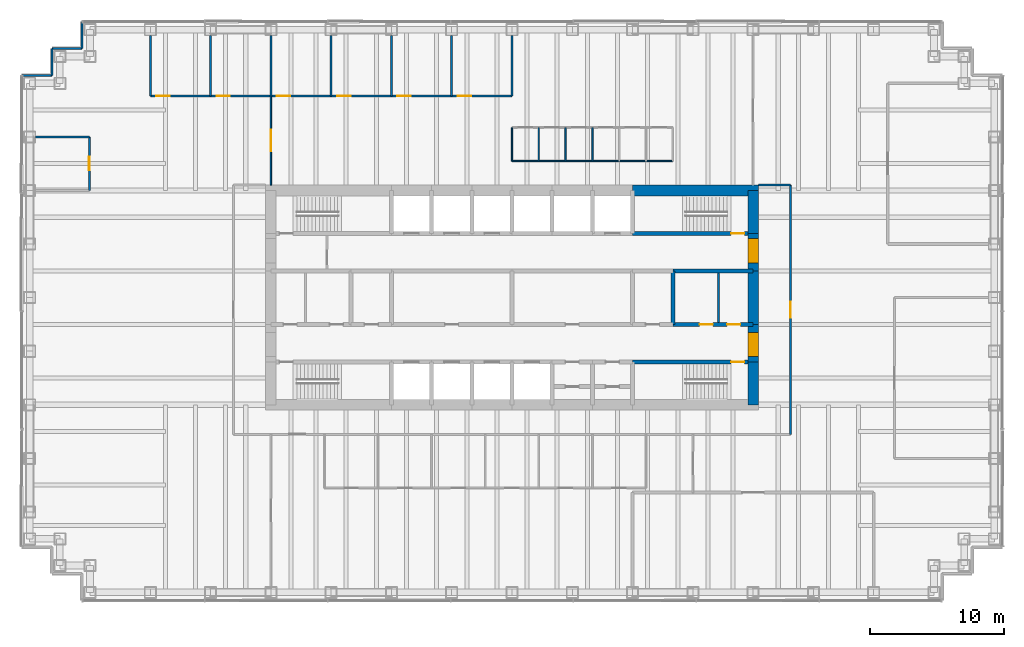
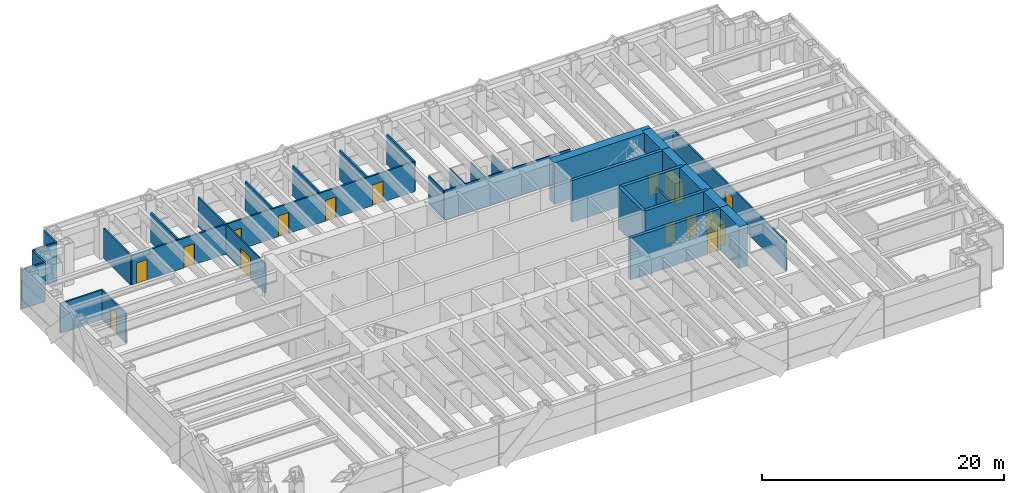
# One storey, part 10 of 12: 34 walls, 15 doors, 15 openings.
"""IFC4 building model written with IfcOpenShell, lengths in metres."""

import ifcopenshell
import ifcopenshell.guid

model = None  # the IFC model being written
_history = None  # IfcOwnerHistory: only IFC2X3 demands one
_inside = {}  # id of a spatial element -> (the spatial element, [elements in it])
_under = {}  # id of a project, library or spatial element -> (it, [spatial elements below it])
_declared = {}  # id of a project -> (the project, [libraries it declares])
_typed = {}  # id of a type object -> (the type object, [elements of that type])
_made_of = {}  # id of a material, layer set ... -> (it, [elements and type objects made of it])


def new_model(schema):
    """Start an empty IFC model of exactly this schema.

    Asked for "IFC4X3", IfcOpenShell would pick the latest addendum, in which some entities
    have other attributes; the version numbers below select the first issue.
    IFC2X3 requires an IfcOwnerHistory on every rooted entity: one is made here for all.
    """
    global model, _history
    if schema == "IFC4X3":
        model = ifcopenshell.file(schema_version=(4, 3, 0, 0))
    else:
        model = ifcopenshell.file(schema=schema)
    _inside.clear()
    _under.clear()
    _declared.clear()
    _typed.clear()
    _made_of.clear()
    _history = None
    if model.schema == "IFC2X3":
        org = make("IfcOrganization", Name="unknown")
        user = make(
            "IfcPersonAndOrganization",
            ThePerson=make("IfcPerson", FamilyName="unknown"),
            TheOrganization=org,
        )
        app = make(
            "IfcApplication",
            ApplicationDeveloper=org,
            Version="unknown",
            ApplicationFullName="unknown",
            ApplicationIdentifier="unknown",
        )
        _history = make(
            "IfcOwnerHistory",
            OwningUser=user,
            OwningApplication=app,
            ChangeAction="ADDED",
            CreationDate=0,
        )
    return model


def make(cls, **values):
    """One entity of the class cls with the attributes given. An attribute that is None is left unset."""
    return model.create_entity(
        cls, **{name: value for name, value in values.items() if value is not None}
    )


def rooted(cls, **values):
    """An entity with a GlobalId (a new one), such as an element, a storey or a relation."""
    return make(cls, GlobalId=ifcopenshell.guid.new(), OwnerHistory=_history, **values)


def si_unit(unit_type, name, prefix=None):
    """IfcSIUnit, for example si_unit("LENGTHUNIT", "METRE", prefix="MILLI")."""
    return make("IfcSIUnit", UnitType=unit_type, Prefix=prefix, Name=name)


def assignment(units):
    """IfcUnitAssignment: the units of a project."""
    return None if units is None else make("IfcUnitAssignment", Units=units)


def point(xyz):
    """IfcCartesianPoint."""
    return None if xyz is None else make("IfcCartesianPoint", Coordinates=xyz)


def direction(xyz):
    """IfcDirection."""
    return None if xyz is None else make("IfcDirection", DirectionRatios=xyz)


def frame(location, z_axis=None, x_axis=None):
    """IfcAxis2Placement3D, a coordinate frame: its origin and axes. An axis left out is left unset."""
    return make(
        "IfcAxis2Placement3D",
        Location=point(location),
        Axis=direction(z_axis),
        RefDirection=direction(x_axis),
    )


def frame_2d(location, x_axis=None):
    """IfcAxis2Placement2D, a coordinate frame in the plane: its origin and x axis."""
    return make(
        "IfcAxis2Placement2D", Location=point(location), RefDirection=direction(x_axis)
    )


def origin():
    """The frame at (0, 0, 0) with its axes left unset."""
    return frame((0.0, 0.0, 0.0))


def place(relative_to, where):
    """IfcLocalPlacement: puts the frame where relative to a parent placement (None: the world)."""
    return make(
        "IfcLocalPlacement", PlacementRelTo=relative_to, RelativePlacement=where
    )


def context(
    kind, dimensions, precision=None, world=None, true_north=None, identifier=None
):
    """IfcGeometricRepresentationContext, for example the 3D "Model" context."""
    return make(
        "IfcGeometricRepresentationContext",
        ContextIdentifier=identifier,
        ContextType=kind,
        CoordinateSpaceDimension=dimensions,
        Precision=precision,
        WorldCoordinateSystem=world,
        TrueNorth=true_north,
    )


def subcontext(parent, identifier, kind, view, scale=None):
    """IfcGeometricRepresentationSubContext, for example "Body" below "Model"."""
    return make(
        "IfcGeometricRepresentationSubContext",
        ContextIdentifier=identifier,
        ContextType=kind,
        ParentContext=parent,
        TargetScale=scale,
        TargetView=view,
    )


def project(units=None, contexts=None):
    """IfcProject with its units and contexts."""
    return rooted(
        "IfcProject",
        Name="project",
        RepresentationContexts=contexts,
        UnitsInContext=assignment(units),
    )


def spatial(cls, under=None, at=None, **own):
    """A site, building, storey or space (cls), placed at a placement, below another one or the project."""
    s = rooted(cls, ObjectPlacement=at, **own)
    if under is not None:
        _under.setdefault(under.id(), (under, []))[1].append(s)
    return s


def profile(cls, at=None, kind="AREA", **sizes):
    """A parametric profile (cls). Its sizes go by their IFC names, for example OverallWidth=200.0."""
    return make(cls, ProfileType=kind, Position=at, **sizes)


def rectangle(**sizes):
    """IfcRectangleProfileDef."""
    return profile("IfcRectangleProfileDef", **sizes)


def extrude(swept, where, along, depth):
    """IfcExtrudedAreaSolid: the profile swept, set in the frame where, extruded along a direction by depth."""
    return make(
        "IfcExtrudedAreaSolid",
        SweptArea=swept,
        Position=where,
        ExtrudedDirection=direction(along),
        Depth=depth,
    )


def shape(context_of_items, identifier, shape_type, items):
    """IfcShapeRepresentation: the items that make up one representation, for example the "Body"."""
    return make(
        "IfcShapeRepresentation",
        ContextOfItems=context_of_items,
        RepresentationIdentifier=identifier,
        RepresentationType=shape_type,
        Items=items,
    )


def material(Name=None, Category=None):
    """IfcMaterial."""
    return make("IfcMaterial", Name=Name, Category=Category)


def layer(
    of_material, thickness, ventilated=None, Name=None, Category=None, Priority=None
):
    """IfcMaterialLayer: one layer of a wall or slab, of a material (None: an air gap)."""
    return make(
        "IfcMaterialLayer",
        Material=of_material,
        LayerThickness=thickness,
        IsVentilated=ventilated,
        Name=Name,
        Category=Category,
        Priority=Priority,
    )


def layer_set(layers, Name=None):
    """IfcMaterialLayerSet."""
    return make("IfcMaterialLayerSet", MaterialLayers=layers, LayerSetName=Name)


def made_of(thing, what):
    """Note that an element or type object is made of a material, layer set ...; save() writes the relation."""
    if what is not None:
        _made_of.setdefault(what.id(), (what, []))[1].append(thing)
    return thing


def type_object(cls, material=None, **own):
    """A type object (cls), such as IfcWallType, which elements share."""
    return made_of(rooted(cls, **own), material)


def element(
    cls,
    number,
    at=None,
    inside=None,
    cuts=None,
    type_object=None,
    material=None,
    context=None,
    identifier="Body",
    shape_type=None,
    held_by="IfcProductDefinitionShape",
    body=None,
    shapes=None,
    **own,
):
    """One element of the class cls, such as IfcWall. Its Tag is "e" and its number.

    at: its placement. inside: the storey or other place that contains it. cuts: it is an
    opening in that element (IfcRelVoidsElement). A single representation is given by context,
    identifier, shape_type and body (its items); several are given by shapes. held_by: the class
    of the entity that holds the representations. save() writes the other relations.
    """
    e = rooted(cls, Tag="e%d" % number, ObjectPlacement=at, **own)
    if body is not None:
        shapes = [shape(context, identifier, shape_type, body)]
    if shapes is not None:
        e.Representation = make(held_by, Representations=shapes)
    if inside is not None:
        _inside.setdefault(inside.id(), (inside, []))[1].append(e)
    if cuts is not None:
        rooted(
            "IfcRelVoidsElement", RelatingBuildingElement=cuts, RelatedOpeningElement=e
        )
    if type_object is not None:
        _typed.setdefault(type_object.id(), (type_object, []))[1].append(e)
    return made_of(e, material)


def fill(opening, filler):
    """IfcRelFillsElement: the door or window that sits in an opening."""
    return rooted(
        "IfcRelFillsElement",
        RelatingOpeningElement=opening,
        RelatedBuildingElement=filler,
    )


def aggregate(whole, parts):
    """IfcRelAggregates: a whole, such as a stair, and the parts it consists of."""
    return rooted("IfcRelAggregates", RelatingObject=whole, RelatedObjects=parts)


def save(model, path):
    """Write the relations noted so far, then the file.

    IfcRelAggregates (storeys below a building ...), IfcRelContainedInSpatialStructure (elements
    in a storey), IfcRelDefinesByType, IfcRelAssociatesMaterial and IfcRelDeclares: one each for
    every whole, place, type object, material and project.
    """
    for whole, parts in _under.values():
        aggregate(whole, parts)
    for where, things in _inside.values():
        rooted(
            "IfcRelContainedInSpatialStructure",
            RelatedElements=things,
            RelatingStructure=where,
        )
    for kind, things in _typed.values():
        rooted("IfcRelDefinesByType", RelatedObjects=things, RelatingType=kind)
    for what, things in _made_of.values():
        rooted("IfcRelAssociatesMaterial", RelatedObjects=things, RelatingMaterial=what)
    for by, libraries in _declared.values():
        rooted("IfcRelDeclares", RelatingContext=by, RelatedDefinitions=libraries)
    model.write(path)


model = new_model("IFC4")

# Units and contexts
model_context = context("Model", 3, precision=1e-05, world=origin(), true_north=direction((0.0, 1.0)))
body_context = subcontext(model_context, "Body", "Model", "MODEL_VIEW")
ifc_project = project(units=[si_unit("LENGTHUNIT", "METRE"), si_unit("AREAUNIT", "SQUARE_METRE"), si_unit("VOLUMEUNIT", "CUBIC_METRE"), si_unit("PLANEANGLEUNIT", "RADIAN"), si_unit("MASSUNIT", "GRAM", prefix="KILO")], contexts=[model_context])

# Site, building, storey
site_placement = place(None, origin())
site = spatial("IfcSite", under=ifc_project, at=site_placement, CompositionType="ELEMENT")
building_placement = place(site_placement, origin())
building = spatial("IfcBuilding", under=site, at=building_placement, Name="Rheinbord Bourse Tower", CompositionType="ELEMENT")
storey_placement = place(building_placement, frame((0.0, 0.0, 261.39990234375)))
storey = spatial("IfcBuildingStorey", under=building, at=storey_placement, Name="L59", CompositionType="ELEMENT", Elevation=261.39990234375)

# Wall, opening, door
ifc_material_1 = material(Name="Concrete C50/60", Category="concrete")
ifc_layer_1 = layer(ifc_material_1, 0.300048828125)
ifc_layer_set_1 = layer_set([ifc_layer_1], Name="CORE INNER WALL 300")
wall_type_1 = type_object("IfcWallType", Name="CORE INNER WALL 300", PredefinedType="SOLIDWALL", material=ifc_layer_set_1)
wall_1_placement = place(storey_placement, frame((45.0, 19.199951171875, 0.0), z_axis=(0.0, 0.0, 1.0), x_axis=(1.0, 0.0, 0.0)))
wall_1 = element("IfcWall", 1, at=wall_1_placement, inside=storey, type_object=wall_type_1, Name="Core wall A8 L59", PredefinedType="SOLIDWALL", context=body_context, shape_type="SweptSolid", body=[
    extrude(rectangle(XDim=9.0, YDim=0.300048828125, at=frame_2d((4.5, 0.0))), origin(), (0.0, 0.0, 1.0), 4.2001953125),
])
opening_1_placement = place(wall_1_placement, frame((7.35009765625, 0.0, 0.0)))
opening_1 = element("IfcOpeningElement", 2, at=opening_1_placement, cuts=wall_1, Name="Opening 5930", PredefinedType="OPENING", context=body_context, shape_type="SweptSolid", body=[
    extrude(rectangle(XDim=1.0, YDim=2.10009765625, at=frame_2d((0.5, 1.050048828125))), frame((0.0, 0.159912109375, 0.0), z_axis=(0.0, -1.0, 0.0), x_axis=(1.0, 0.0, 0.0)), (0.0, 0.0, 1.0), 0.320068359375),
])
ifc_material_2 = material(Name="Steel door", Category="steel")
door_type_1 = type_object("IfcDoorType", Name="DOOR 1000 EI30", OperationType="SINGLE_SWING_LEFT", PredefinedType="DOOR", material=ifc_material_2)
door_1_placement = place(opening_1_placement, origin())
door_1 = element("IfcDoor", 3, at=door_1_placement, inside=storey, type_object=door_type_1, Name="Stair door ST3 L59", OperationType="SINGLE_SWING_RIGHT", OverallHeight=2.10009765625, OverallWidth=1.0, PredefinedType="DOOR", context=body_context, shape_type="SweptSolid", body=[
    extrude(rectangle(XDim=1.0, YDim=2.10009765625, at=frame_2d((0.5, 1.050048828125))), frame((0.0, 0.02490234375, 0.0), z_axis=(0.0, -1.0, 0.0), x_axis=(1.0, 0.0, 0.0)), (0.0, 0.0, 1.0), 0.050048828125),
])
fill(opening_1, door_1)

wall_2_placement = place(storey_placement, frame((45.0, 28.800048828125, 0.0), z_axis=(0.0, 0.0, 1.0), x_axis=(1.0, 0.0, 0.0)))
wall_2 = element("IfcWall", 4, at=wall_2_placement, inside=storey, type_object=wall_type_1, Name="Core wall B8 L59", PredefinedType="SOLIDWALL", context=body_context, shape_type="SweptSolid", body=[
    extrude(rectangle(XDim=9.0, YDim=0.300048828125, at=frame_2d((4.5, 0.0))), origin(), (0.0, 0.0, 1.0), 4.2001953125),
])
opening_2_placement = place(wall_2_placement, frame((7.35009765625, 0.0, 0.0)))
opening_2 = element("IfcOpeningElement", 5, at=opening_2_placement, cuts=wall_2, Name="Opening 5940", PredefinedType="OPENING", context=body_context, shape_type="SweptSolid", body=[
    extrude(rectangle(XDim=1.0, YDim=2.10009765625, at=frame_2d((0.5, 1.050048828125))), frame((0.0, 0.159912109375, 0.0), z_axis=(0.0, -1.0, 0.0), x_axis=(1.0, 0.0, 0.0)), (0.0, 0.0, 1.0), 0.320068359375),
])
door_2_placement = place(opening_2_placement, origin())
door_2 = element("IfcDoor", 6, at=door_2_placement, inside=storey, type_object=door_type_1, Name="Stair door ST4 L59", OperationType="SINGLE_SWING_RIGHT", OverallHeight=2.10009765625, OverallWidth=1.0, PredefinedType="DOOR", context=body_context, shape_type="SweptSolid", body=[
    extrude(rectangle(XDim=1.0, YDim=2.10009765625, at=frame_2d((0.5, 1.050048828125))), frame((0.0, 0.02490234375, 0.0), z_axis=(0.0, -1.0, 0.0), x_axis=(1.0, 0.0, 0.0)), (0.0, 0.0, 1.0), 0.050048828125),
])
fill(opening_2, door_2)

# Wall, openings, doors
wall_3_placement = place(storey_placement, frame((48.0, 22.0, 0.0), z_axis=(0.0, 0.0, 1.0), x_axis=(1.0, 0.0, 0.0)))
wall_3 = element("IfcWall", 7, at=wall_3_placement, inside=storey, type_object=wall_type_1, Name="Core wall C6 L59", PredefinedType="SOLIDWALL", context=body_context, shape_type="SweptSolid", body=[
    extrude(rectangle(XDim=6.0, YDim=0.300048828125, at=frame_2d((3.0, 0.0))), origin(), (0.0, 0.0, 1.0), 4.2001953125),
])
opening_3_placement = place(wall_3_placement, frame((2.0, 0.0, 0.0)))
opening_3 = element("IfcOpeningElement", 8, at=opening_3_placement, cuts=wall_3, Name="Opening 59R6", PredefinedType="OPENING", context=body_context, shape_type="SweptSolid", body=[
    extrude(rectangle(XDim=1.0, YDim=2.10009765625, at=frame_2d((0.5, 1.050048828125))), frame((0.0, 0.159912109375, 0.0), z_axis=(0.0, -1.0, 0.0), x_axis=(1.0, 0.0, 0.0)), (0.0, 0.0, 1.0), 0.320068359375),
])
opening_4_placement = place(wall_3_placement, frame((4.050048828125, 0.0, 0.0)))
opening_4 = element("IfcOpeningElement", 9, at=opening_4_placement, cuts=wall_3, Name="Opening 59R10", PredefinedType="OPENING", context=body_context, shape_type="SweptSolid", body=[
    extrude(rectangle(XDim=1.0, YDim=2.10009765625, at=frame_2d((0.5, 1.050048828125))), frame((0.0, 0.159912109375, 0.0), z_axis=(0.0, -1.0, 0.0), x_axis=(1.0, 0.0, 0.0)), (0.0, 0.0, 1.0), 0.320068359375),
])
door_3_placement = place(opening_4_placement, origin())
door_3 = element("IfcDoor", 10, at=door_3_placement, inside=storey, type_object=door_type_1, Name="Cleaner's store door L59", OperationType="SINGLE_SWING_RIGHT", OverallHeight=2.10009765625, OverallWidth=1.0, PredefinedType="DOOR", context=body_context, shape_type="SweptSolid", body=[
    extrude(rectangle(XDim=1.0, YDim=2.10009765625, at=frame_2d((0.5, 1.050048828125))), frame((0.0, 0.02490234375, 0.0), z_axis=(0.0, -1.0, 0.0), x_axis=(1.0, 0.0, 0.0)), (0.0, 0.0, 1.0), 0.050048828125),
])
fill(opening_4, door_3)
ifc_material_3 = material(Name="Timber door", Category="wood")
door_type_2 = type_object("IfcDoorType", Name="DOOR 1000 WC", OperationType="SINGLE_SWING_LEFT", PredefinedType="DOOR", material=ifc_material_3)
door_4_placement = place(opening_3_placement, origin())
door_4 = element("IfcDoor", 11, at=door_4_placement, inside=storey, type_object=door_type_2, Name="WC women door L59", OperationType="SINGLE_SWING_LEFT", OverallHeight=2.10009765625, OverallWidth=1.0, PredefinedType="DOOR", context=body_context, shape_type="SweptSolid", body=[
    extrude(rectangle(XDim=1.0, YDim=2.10009765625, at=frame_2d((0.5, 1.050048828125))), frame((0.0, 0.02490234375, 0.0), z_axis=(0.0, -1.0, 0.0), x_axis=(1.0, 0.0, 0.0)), (0.0, 0.0, 1.0), 0.050048828125),
])
fill(opening_3, door_4)

# Walls
wall_4_placement = place(storey_placement, frame((48.0, 26.0, 0.0), z_axis=(0.0, 0.0, 1.0), x_axis=(1.0, 0.0, 0.0)))
element("IfcWall", 12, at=wall_4_placement, inside=storey, type_object=wall_type_1, Name="Core wall D6 L59", PredefinedType="SOLIDWALL", context=body_context, shape_type="SweptSolid", body=[
    extrude(rectangle(XDim=6.0, YDim=0.300048828125, at=frame_2d((3.0, 0.0))), origin(), (0.0, 0.0, 1.0), 4.2001953125),
])
wall_5_placement = place(storey_placement, frame((48.0, 22.0, 0.0), z_axis=(0.0, 0.0, 1.0), x_axis=(0.0, 1.0, 0.0)))
element("IfcWall", 13, at=wall_5_placement, inside=storey, type_object=wall_type_1, Name="Core wall MX48 L59", PredefinedType="SOLIDWALL", context=body_context, shape_type="SweptSolid", body=[
    extrude(rectangle(XDim=4.0, YDim=0.300048828125, at=frame_2d((2.0, 0.0))), origin(), (0.0, 0.0, 1.0), 4.2001953125),
])
ifc_material_4 = material(Name="Gypsum board fire partition", Category="gypsum board")
ifc_layer_2 = layer(ifc_material_4, 0.14990234375)
ifc_layer_set_2 = layer_set([ifc_layer_2], Name="CORE PARTITION 150 EI30")
wall_type_2 = type_object("IfcWallType", Name="CORE PARTITION 150 EI30", PredefinedType="PARTITIONING", material=ifc_layer_set_2)
wall_6_placement = place(storey_placement, frame((51.425048828125, 22.14990234375, 0.0), z_axis=(0.0, 0.0, 1.0), x_axis=(0.0, 1.0, 0.0)))
element("IfcWall", 14, at=wall_6_placement, inside=storey, type_object=wall_type_2, Name="Core partition L59-3", PredefinedType="PARTITIONING", context=body_context, shape_type="SweptSolid", body=[
    extrude(rectangle(XDim=3.7001953125, YDim=0.14990234375, at=frame_2d((1.85009765625, 0.0))), origin(), (0.0, 0.0, 1.0), 3.0),
])
ifc_material_5 = material(Name="Concrete C50/60", Category="concrete")
ifc_layer_3 = layer(ifc_material_5, 0.800048828125)
ifc_layer_set_3 = layer_set([ifc_layer_3], Name="CORE WALL 800")
wall_type_3 = type_object("IfcWallType", Name="CORE WALL 800", PredefinedType="SHEAR", material=ifc_layer_set_3)
wall_7_placement = place(storey_placement, frame((54.39990234375, 32.0, 0.0), z_axis=(0.0, 0.0, 1.0), x_axis=(-1.0, 0.0, 0.0)))
element("IfcWall", 15, at=wall_7_placement, inside=storey, type_object=wall_type_3, Name="Core wall N1 L59", PredefinedType="SHEAR", context=body_context, shape_type="SweptSolid", body=[
    extrude(rectangle(XDim=9.39990234375, YDim=0.800048828125, at=frame_2d((4.699951171875, 0.0))), origin(), (0.0, 0.0, 1.0), 4.2001953125),
])
wall_8_placement = place(storey_placement, frame((54.0, 16.0, 0.0), z_axis=(0.0, 0.0, 1.0), x_axis=(0.0, 1.0, 0.0)))
element("IfcWall", 16, at=wall_8_placement, inside=storey, type_object=wall_type_3, Name="Core wall E1 L59", PredefinedType="SHEAR", context=body_context, shape_type="SweptSolid", body=[
    extrude(rectangle(XDim=3.199951171875, YDim=0.800048828125, at=frame_2d((1.60009765625, 0.0))), origin(), (0.0, 0.0, 1.0), 4.2001953125),
])

# Wall, opening, door
wall_9_placement = place(storey_placement, frame((54.0, 19.199951171875, 0.0), z_axis=(0.0, 0.0, 1.0), x_axis=(0.0, 1.0, 0.0)))
wall_9 = element("IfcWall", 17, at=wall_9_placement, inside=storey, type_object=wall_type_3, Name="Core wall E2 L59", PredefinedType="SHEAR", context=body_context, shape_type="SweptSolid", body=[
    extrude(rectangle(XDim=2.800048828125, YDim=0.800048828125, at=frame_2d((1.39990234375, 0.0))), origin(), (0.0, 0.0, 1.0), 4.2001953125),
])
opening_5_placement = place(wall_9_placement, frame((0.39990234375, 0.0, 0.0)))
opening_5 = element("IfcOpeningElement", 18, at=opening_5_placement, cuts=wall_9, Name="Opening 59L3", PredefinedType="OPENING", context=body_context, shape_type="SweptSolid", body=[
    extrude(rectangle(XDim=1.800048828125, YDim=2.10009765625, at=frame_2d((0.89990234375, 1.050048828125))), frame((0.0, 0.409912109375, 0.0), z_axis=(0.0, -1.0, 0.0), x_axis=(1.0, 0.0, 0.0)), (0.0, 0.0, 1.0), 0.820068359375),
])
ifc_material_6 = material(Name="Steel door", Category="steel")
door_type_3 = type_object("IfcDoorType", Name="DOOR 1800 EI30 DOUBLE", OperationType="DOUBLE_DOOR_DOUBLE_SWING", PredefinedType="DOOR", material=ifc_material_6)
door_5_placement = place(opening_5_placement, origin())
door_5 = element("IfcDoor", 19, at=door_5_placement, inside=storey, type_object=door_type_3, Name="Lobby door 3 L59", OperationType="SINGLE_SWING_LEFT", OverallHeight=2.10009765625, OverallWidth=1.800048828125, PredefinedType="DOOR", context=body_context, shape_type="SweptSolid", body=[
    extrude(rectangle(XDim=1.800048828125, YDim=2.10009765625, at=frame_2d((0.89990234375, 1.050048828125))), frame((0.0, 0.39990234375, 0.0), z_axis=(0.0, -1.0, 0.0), x_axis=(1.0, 0.0, 0.0)), (0.0, 0.0, 1.0), 0.799560546875),
])
fill(opening_5, door_5)

# Wall
wall_10_placement = place(storey_placement, frame((54.0, 22.0, 0.0), z_axis=(0.0, 0.0, 1.0), x_axis=(0.0, 1.0, 0.0)))
element("IfcWall", 20, at=wall_10_placement, inside=storey, type_object=wall_type_3, Name="Core wall E3 L59", PredefinedType="SHEAR", context=body_context, shape_type="SweptSolid", body=[
    extrude(rectangle(XDim=4.0, YDim=0.800048828125, at=frame_2d((2.0, 0.0))), origin(), (0.0, 0.0, 1.0), 4.2001953125),
])

# Wall, opening, door
wall_11_placement = place(storey_placement, frame((54.0, 26.0, 0.0), z_axis=(0.0, 0.0, 1.0), x_axis=(0.0, 1.0, 0.0)))
wall_11 = element("IfcWall", 21, at=wall_11_placement, inside=storey, type_object=wall_type_3, Name="Core wall E4 L59", PredefinedType="SHEAR", context=body_context, shape_type="SweptSolid", body=[
    extrude(rectangle(XDim=2.800048828125, YDim=0.800048828125, at=frame_2d((1.39990234375, 0.0))), origin(), (0.0, 0.0, 1.0), 4.2001953125),
])
opening_6_placement = place(wall_11_placement, frame((0.60009765625, 0.0, 0.0)))
opening_6 = element("IfcOpeningElement", 22, at=opening_6_placement, cuts=wall_11, Name="Opening 59L4", PredefinedType="OPENING", context=body_context, shape_type="SweptSolid", body=[
    extrude(rectangle(XDim=1.800048828125, YDim=2.10009765625, at=frame_2d((0.89990234375, 1.050048828125))), frame((0.0, 0.409912109375, 0.0), z_axis=(0.0, -1.0, 0.0), x_axis=(1.0, 0.0, 0.0)), (0.0, 0.0, 1.0), 0.820068359375),
])
door_6_placement = place(opening_6_placement, origin())
door_6 = element("IfcDoor", 23, at=door_6_placement, inside=storey, type_object=door_type_3, Name="Lobby door 4 L59", OperationType="SINGLE_SWING_LEFT", OverallHeight=2.10009765625, OverallWidth=1.800048828125, PredefinedType="DOOR", context=body_context, shape_type="SweptSolid", body=[
    extrude(rectangle(XDim=1.800048828125, YDim=2.10009765625, at=frame_2d((0.89990234375, 1.050048828125))), frame((0.0, 0.39990234375, 0.0), z_axis=(0.0, -1.0, 0.0), x_axis=(1.0, 0.0, 0.0)), (0.0, 0.0, 1.0), 0.799560546875),
])
fill(opening_6, door_6)

# Walls
wall_12_placement = place(storey_placement, frame((54.0, 28.800048828125, 0.0), z_axis=(0.0, 0.0, 1.0), x_axis=(0.0, 1.0, 0.0)))
element("IfcWall", 24, at=wall_12_placement, inside=storey, type_object=wall_type_3, Name="Core wall E5 L59", PredefinedType="SHEAR", context=body_context, shape_type="SweptSolid", body=[
    extrude(rectangle(XDim=3.199951171875, YDim=0.800048828125, at=frame_2d((1.60009765625, 0.0))), origin(), (0.0, 0.0, 1.0), 4.2001953125),
])
ifc_material_7 = material(Name="Black metal rainscreen panel", Category="aluminium")
ifc_layer_4 = layer(ifc_material_7, 0.14990234375)
ifc_layer_set_4 = layer_set([ifc_layer_4], Name="CORNER PIER CLADDING 150")
wall_type_4 = type_object("IfcWallType", Name="CORNER PIER CLADDING 150", PredefinedType="ELEMENTEDWALL", material=ifc_layer_set_4)
wall_13_placement = place(storey_placement, frame((3.89990234375, 44.60009765625, 0.0), z_axis=(0.0, 0.0, 1.0), x_axis=(0.0, -1.0, 0.0)))
element("IfcWall", 25, at=wall_13_placement, inside=storey, type_object=wall_type_4, Name="Corner pier cladding L59 12", PredefinedType="ELEMENTEDWALL", context=body_context, shape_type="SweptSolid", body=[
    extrude(rectangle(XDim=2.0, YDim=0.14990234375, at=frame_2d((1.0, 0.0))), origin(), (0.0, 0.0, 1.0), 3.9501953125),
])
wall_14_placement = place(storey_placement, frame((3.89990234375, 42.60009765625, 0.0), z_axis=(0.0, 0.0, 1.0), x_axis=(-1.0, 0.0, 0.0)))
element("IfcWall", 26, at=wall_14_placement, inside=storey, type_object=wall_type_4, Name="Corner pier cladding L59 13", PredefinedType="ELEMENTEDWALL", context=body_context, shape_type="SweptSolid", body=[
    extrude(rectangle(XDim=2.25, YDim=0.14990234375, at=frame_2d((1.125, 0.0))), origin(), (0.0, 0.0, 1.0), 3.9501953125),
])
wall_15_placement = place(storey_placement, frame((1.64990234375, 42.60009765625, 0.0), z_axis=(0.0, 0.0, 1.0), x_axis=(0.0, -1.0, 0.0)))
element("IfcWall", 27, at=wall_15_placement, inside=storey, type_object=wall_type_4, Name="Corner pier cladding L59 14", PredefinedType="ELEMENTEDWALL", context=body_context, shape_type="SweptSolid", body=[
    extrude(rectangle(XDim=2.0, YDim=0.14990234375, at=frame_2d((1.0, 0.0))), origin(), (0.0, 0.0, 1.0), 3.9501953125),
])
wall_16_placement = place(storey_placement, frame((1.64990234375, 40.60009765625, 0.0), z_axis=(0.0, 0.0, 1.0), x_axis=(-1.0, 0.0, 0.0)))
element("IfcWall", 28, at=wall_16_placement, inside=storey, type_object=wall_type_4, Name="Corner pier cladding L59 15", PredefinedType="ELEMENTEDWALL", context=body_context, shape_type="SweptSolid", body=[
    extrude(rectangle(XDim=2.25, YDim=0.14990234375, at=frame_2d((1.125, 0.0))), origin(), (0.0, 0.0, 1.0), 3.9501953125),
])
ifc_material_8 = material(Name="Gypsum board corridor partition", Category="gypsum board")
ifc_layer_5 = layer(ifc_material_8, 0.14990234375)
ifc_layer_set_5 = layer_set([ifc_layer_5], Name="CORRIDOR PARTITION 150 EI30")
wall_type_5 = type_object("IfcWallType", Name="CORRIDOR PARTITION 150 EI30", PredefinedType="PARTITIONING", material=ifc_layer_set_5)
wall_17_placement = place(storey_placement, frame((54.39990234375, 32.39990234375, 0.0), z_axis=(0.0, 0.0, 1.0), x_axis=(1.0, 0.0, 0.0)))
element("IfcWall", 29, at=wall_17_placement, inside=storey, type_object=wall_type_5, Name="Partition L59-09", PredefinedType="PARTITIONING", context=body_context, shape_type="SweptSolid", body=[
    extrude(rectangle(XDim=2.400146484375, YDim=0.14990234375, at=frame_2d((1.2001953125, 0.0))), origin(), (0.0, 0.0, 1.0), 3.0),
])

# Wall, opening, door
wall_18_placement = place(storey_placement, frame((56.800048828125, 13.800048828125, 0.0), z_axis=(0.0, 0.0, 1.0), x_axis=(0.0, 1.0, 0.0)))
wall_18 = element("IfcWall", 30, at=wall_18_placement, inside=storey, type_object=wall_type_5, Name="Partition L59-43", PredefinedType="PARTITIONING", context=body_context, shape_type="SweptSolid", body=[
    extrude(rectangle(XDim=18.599853515625, YDim=0.14990234375, at=frame_2d((9.2998046875, 0.0))), origin(), (0.0, 0.0, 1.0), 3.0),
])
opening_7_placement = place(wall_18_placement, frame((8.699951171875, 0.0, 0.0)))
opening_7 = element("IfcOpeningElement", 31, at=opening_7_placement, cuts=wall_18, Name="Opening 59D28", PredefinedType="OPENING", context=body_context, shape_type="SweptSolid", body=[
    extrude(rectangle(XDim=1.199951171875, YDim=2.10009765625, at=frame_2d((0.60009765625, 1.050048828125))), frame((0.0, 0.0849609375, 0.0), z_axis=(0.0, -1.0, 0.0), x_axis=(1.0, 0.0, 0.0)), (0.0, 0.0, 1.0), 0.169921875),
])
ifc_material_9 = material(Name="Timber fire door", Category="wood")
door_type_4 = type_object("IfcDoorType", Name="SUITE ENTRANCE DOOR 1200 EI30", OperationType="SINGLE_SWING_LEFT", PredefinedType="DOOR", material=ifc_material_9)
door_7_placement = place(opening_7_placement, origin())
door_7 = element("IfcDoor", 32, at=door_7_placement, inside=storey, type_object=door_type_4, Name="Suite entrance 2 door L59", OperationType="SINGLE_SWING_LEFT", OverallHeight=2.10009765625, OverallWidth=1.199951171875, PredefinedType="DOOR", context=body_context, shape_type="SweptSolid", body=[
    extrude(rectangle(XDim=1.199951171875, YDim=2.10009765625, at=frame_2d((0.60009765625, 1.050048828125))), frame((0.0, 0.02490234375, 0.0), z_axis=(0.0, -1.0, 0.0), x_axis=(1.0, 0.0, 0.0)), (0.0, 0.0, 1.0), 0.050048828125),
])
fill(opening_7, door_7)

# Wall
ifc_material_10 = material(Name="Toughened laminated glass partition", Category="glass")
ifc_layer_6 = layer(ifc_material_10, 0.10009765625)
ifc_layer_set_6 = layer_set([ifc_layer_6], Name="GLAZED PARTITION 100")
wall_type_6 = type_object("IfcWallType", Name="GLAZED PARTITION 100", PredefinedType="PARTITIONING", material=ifc_layer_set_6)
wall_19_placement = place(storey_placement, frame((36.0, 34.199951171875, 0.0), z_axis=(0.0, 0.0, 1.0), x_axis=(1.0, 0.0, 0.0)))
element("IfcWall", 33, at=wall_19_placement, inside=storey, type_object=wall_type_6, Name="Partition L59-10", PredefinedType="PARTITIONING", context=body_context, shape_type="SweptSolid", body=[
    extrude(rectangle(XDim=12.0, YDim=0.10009765625, at=frame_2d((6.0, 0.0))), origin(), (0.0, 0.0, 1.0), 3.0),
])

# Wall, opening, door
wall_20_placement = place(storey_placement, frame((18.0, 32.39990234375, 0.0), z_axis=(0.0, 0.0, 1.0), x_axis=(0.0, 1.0, 0.0)))
wall_20 = element("IfcWall", 34, at=wall_20_placement, inside=storey, type_object=wall_type_6, Name="Partition L59-20", PredefinedType="PARTITIONING", context=body_context, shape_type="SweptSolid", body=[
    extrude(rectangle(XDim=6.650146484375, YDim=0.10009765625, at=frame_2d((3.3251953125, 0.0))), origin(), (0.0, 0.0, 1.0), 3.0),
])
opening_8_placement = place(wall_20_placement, frame((2.52490234375, 0.0, 0.0)))
opening_8 = element("IfcOpeningElement", 35, at=opening_8_placement, cuts=wall_20, Name="Opening 59D24", PredefinedType="OPENING", context=body_context, shape_type="SweptSolid", body=[
    extrude(rectangle(XDim=1.60009765625, YDim=2.10009765625, at=frame_2d((0.800048828125, 1.050048828125))), frame((0.0, 0.06005859375, 0.0), z_axis=(0.0, -1.0, 0.0), x_axis=(1.0, 0.0, 0.0)), (0.0, 0.0, 1.0), 0.1201171875),
])
ifc_material_11 = material(Name="Timber door", Category="wood")
door_type_5 = type_object("IfcDoorType", Name="DOUBLE ROOM DOOR 1600", OperationType="DOUBLE_DOOR_DOUBLE_SWING", PredefinedType="DOOR", material=ifc_material_11)
door_8_placement = place(opening_8_placement, origin())
door_8 = element("IfcDoor", 36, at=door_8_placement, inside=storey, type_object=door_type_5, Name="Open area door L59", OperationType="SINGLE_SWING_LEFT", OverallHeight=2.10009765625, OverallWidth=1.60009765625, PredefinedType="DOOR", context=body_context, shape_type="SweptSolid", body=[
    extrude(rectangle(XDim=1.60009765625, YDim=2.10009765625, at=frame_2d((0.800048828125, 1.050048828125))), frame((0.0, 0.02490234375, 0.0), z_axis=(0.0, -1.0, 0.0), x_axis=(1.0, 0.0, 0.0)), (0.0, 0.0, 1.0), 0.050048828125),
])
fill(opening_8, door_8)

# Walls
for number, where, z_axis, x_axis, name in (
    (37, (36.0, 34.199951171875, 0.0), (0.0, 0.0, 1.0), (0.0, 1.0, 0.0), "Partition L59-29"),
    (38, (38.0, 34.199951171875, 0.0), (0.0, 0.0, 1.0), (0.0, 1.0, 0.0), "Partition L59-32"),
    (39, (40.0, 34.199951171875, 0.0), (0.0, 0.0, 1.0), (0.0, 1.0, 0.0), "Partition L59-33"),
    (40, (42.0, 34.199951171875, 0.0), (0.0, 0.0, 1.0), (0.0, 1.0, 0.0), "Partition L59-35"),
):
    element("IfcWall", number, at=place(storey_placement, frame(where, z_axis=z_axis, x_axis=x_axis)), inside=storey, type_object=wall_type_6, Name=name, PredefinedType="PARTITIONING", context=body_context, shape_type="SweptSolid", body=[
        extrude(rectangle(XDim=2.5, YDim=0.10009765625, at=frame_2d((1.25, 0.0))), origin(), (0.0, 0.0, 1.0), 3.0),
    ])
ifc_material_12 = material(Name="Gypsum board partition", Category="gypsum board")
ifc_layer_7 = layer(ifc_material_12, 0.14990234375)
ifc_layer_set_7 = layer_set([ifc_layer_7], Name="PARTITION 150")
wall_type_7 = type_object("IfcWallType", Name="PARTITION 150", PredefinedType="PARTITIONING", material=ifc_layer_set_7)
wall_21_placement = place(storey_placement, frame((0.449951171875, 36.0, 0.0), z_axis=(0.0, 0.0, 1.0), x_axis=(1.0, 0.0, 0.0)))
element("IfcWall", 41, at=wall_21_placement, inside=storey, type_object=wall_type_7, Name="Partition L59-11", PredefinedType="PARTITIONING", context=body_context, shape_type="SweptSolid", body=[
    extrude(rectangle(XDim=4.0, YDim=0.14990234375, at=frame_2d((2.0, 0.0))), origin(), (0.0, 0.0, 1.0), 3.0),
])

# Wall, openings, doors
wall_22_placement = place(storey_placement, frame((9.0, 39.050048828125, 0.0), z_axis=(0.0, 0.0, 1.0), x_axis=(1.0, 0.0, 0.0)))
wall_22 = element("IfcWall", 42, at=wall_22_placement, inside=storey, type_object=wall_type_7, Name="Partition L59-13", PredefinedType="PARTITIONING", context=body_context, shape_type="SweptSolid", body=[
    extrude(rectangle(XDim=27.0, YDim=0.14990234375, at=frame_2d((13.5, 0.0))), origin(), (0.0, 0.0, 1.0), 3.0),
])
opening_9_placement = place(wall_22_placement, frame((0.449951171875, 0.0, 0.0)))
opening_9 = element("IfcOpeningElement", 43, at=opening_9_placement, cuts=wall_22, Name="Opening 59D17", PredefinedType="OPENING", context=body_context, shape_type="SweptSolid", body=[
    extrude(rectangle(XDim=1.0, YDim=2.10009765625, at=frame_2d((0.5, 1.050048828125))), frame((0.0, 0.0849609375, 0.0), z_axis=(0.0, -1.0, 0.0), x_axis=(1.0, 0.0, 0.0)), (0.0, 0.0, 1.0), 0.169921875),
])
opening_10_placement = place(wall_22_placement, frame((4.949951171875, 0.0, 0.0)))
opening_10 = element("IfcOpeningElement", 44, at=opening_10_placement, cuts=wall_22, Name="Opening 59D18", PredefinedType="OPENING", context=body_context, shape_type="SweptSolid", body=[
    extrude(rectangle(XDim=1.0, YDim=2.10009765625, at=frame_2d((0.5, 1.050048828125))), frame((0.0, 0.0849609375, 0.0), z_axis=(0.0, -1.0, 0.0), x_axis=(1.0, 0.0, 0.0)), (0.0, 0.0, 1.0), 0.169921875),
])
opening_11_placement = place(wall_22_placement, frame((9.449951171875, 0.0, 0.0)))
opening_11 = element("IfcOpeningElement", 45, at=opening_11_placement, cuts=wall_22, Name="Opening 59D19", PredefinedType="OPENING", context=body_context, shape_type="SweptSolid", body=[
    extrude(rectangle(XDim=1.0, YDim=2.10009765625, at=frame_2d((0.5, 1.050048828125))), frame((0.0, 0.0849609375, 0.0), z_axis=(0.0, -1.0, 0.0), x_axis=(1.0, 0.0, 0.0)), (0.0, 0.0, 1.0), 0.169921875),
])
opening_12_placement = place(wall_22_placement, frame((13.949951171875, 0.0, 0.0)))
opening_12 = element("IfcOpeningElement", 46, at=opening_12_placement, cuts=wall_22, Name="Opening 59D20", PredefinedType="OPENING", context=body_context, shape_type="SweptSolid", body=[
    extrude(rectangle(XDim=1.0, YDim=2.10009765625, at=frame_2d((0.5, 1.050048828125))), frame((0.0, 0.0849609375, 0.0), z_axis=(0.0, -1.0, 0.0), x_axis=(1.0, 0.0, 0.0)), (0.0, 0.0, 1.0), 0.169921875),
])
opening_13_placement = place(wall_22_placement, frame((18.449951171875, 0.0, 0.0)))
opening_13 = element("IfcOpeningElement", 47, at=opening_13_placement, cuts=wall_22, Name="Opening 59D21", PredefinedType="OPENING", context=body_context, shape_type="SweptSolid", body=[
    extrude(rectangle(XDim=1.0, YDim=2.10009765625, at=frame_2d((0.5, 1.050048828125))), frame((0.0, 0.0849609375, 0.0), z_axis=(0.0, -1.0, 0.0), x_axis=(1.0, 0.0, 0.0)), (0.0, 0.0, 1.0), 0.169921875),
])
opening_14_placement = place(wall_22_placement, frame((22.949951171875, 0.0, 0.0)))
opening_14 = element("IfcOpeningElement", 48, at=opening_14_placement, cuts=wall_22, Name="Opening 59D22", PredefinedType="OPENING", context=body_context, shape_type="SweptSolid", body=[
    extrude(rectangle(XDim=1.0, YDim=2.10009765625, at=frame_2d((0.5, 1.050048828125))), frame((0.0, 0.0849609375, 0.0), z_axis=(0.0, -1.0, 0.0), x_axis=(1.0, 0.0, 0.0)), (0.0, 0.0, 1.0), 0.169921875),
])
ifc_material_13 = material(Name="Timber door", Category="wood")
door_type_6 = type_object("IfcDoorType", Name="ROOM DOOR 1000", OperationType="SINGLE_SWING_LEFT", PredefinedType="DOOR", material=ifc_material_13)
door_9_placement = place(opening_9_placement, origin())
door_9 = element("IfcDoor", 49, at=door_9_placement, inside=storey, type_object=door_type_6, Name="Office door L59", OperationType="SINGLE_SWING_LEFT", OverallHeight=2.10009765625, OverallWidth=1.0, PredefinedType="DOOR", context=body_context, shape_type="SweptSolid", body=[
    extrude(rectangle(XDim=1.0, YDim=2.10009765625, at=frame_2d((0.5, 1.050048828125))), frame((0.0, 0.02490234375, 0.0), z_axis=(0.0, -1.0, 0.0), x_axis=(1.0, 0.0, 0.0)), (0.0, 0.0, 1.0), 0.050048828125),
])
fill(opening_9, door_9)
door_10_placement = place(opening_10_placement, origin())
door_10 = element("IfcDoor", 50, at=door_10_placement, inside=storey, type_object=door_type_6, Name="Office door L59", OperationType="SINGLE_SWING_LEFT", OverallHeight=2.10009765625, OverallWidth=1.0, PredefinedType="DOOR", context=body_context, shape_type="SweptSolid", body=[
    extrude(rectangle(XDim=1.0, YDim=2.10009765625, at=frame_2d((0.5, 1.050048828125))), frame((0.0, 0.02490234375, 0.0), z_axis=(0.0, -1.0, 0.0), x_axis=(1.0, 0.0, 0.0)), (0.0, 0.0, 1.0), 0.050048828125),
])
fill(opening_10, door_10)
door_11_placement = place(opening_11_placement, origin())
door_11 = element("IfcDoor", 51, at=door_11_placement, inside=storey, type_object=door_type_6, Name="Office door L59", OperationType="SINGLE_SWING_LEFT", OverallHeight=2.10009765625, OverallWidth=1.0, PredefinedType="DOOR", context=body_context, shape_type="SweptSolid", body=[
    extrude(rectangle(XDim=1.0, YDim=2.10009765625, at=frame_2d((0.5, 1.050048828125))), frame((0.0, 0.02490234375, 0.0), z_axis=(0.0, -1.0, 0.0), x_axis=(1.0, 0.0, 0.0)), (0.0, 0.0, 1.0), 0.050048828125),
])
fill(opening_11, door_11)
door_12_placement = place(opening_12_placement, origin())
door_12 = element("IfcDoor", 52, at=door_12_placement, inside=storey, type_object=door_type_6, Name="Office door L59", OperationType="SINGLE_SWING_RIGHT", OverallHeight=2.10009765625, OverallWidth=1.0, PredefinedType="DOOR", context=body_context, shape_type="SweptSolid", body=[
    extrude(rectangle(XDim=1.0, YDim=2.10009765625, at=frame_2d((0.5, 1.050048828125))), frame((0.0, 0.02490234375, 0.0), z_axis=(0.0, -1.0, 0.0), x_axis=(1.0, 0.0, 0.0)), (0.0, 0.0, 1.0), 0.050048828125),
])
fill(opening_12, door_12)
door_13_placement = place(opening_13_placement, origin())
door_13 = element("IfcDoor", 53, at=door_13_placement, inside=storey, type_object=door_type_6, Name="Office door L59", OperationType="SINGLE_SWING_RIGHT", OverallHeight=2.10009765625, OverallWidth=1.0, PredefinedType="DOOR", context=body_context, shape_type="SweptSolid", body=[
    extrude(rectangle(XDim=1.0, YDim=2.10009765625, at=frame_2d((0.5, 1.050048828125))), frame((0.0, 0.02490234375, 0.0), z_axis=(0.0, -1.0, 0.0), x_axis=(1.0, 0.0, 0.0)), (0.0, 0.0, 1.0), 0.050048828125),
])
fill(opening_13, door_13)
door_14_placement = place(opening_14_placement, origin())
door_14 = element("IfcDoor", 54, at=door_14_placement, inside=storey, type_object=door_type_6, Name="Office door L59", OperationType="SINGLE_SWING_RIGHT", OverallHeight=2.10009765625, OverallWidth=1.0, PredefinedType="DOOR", context=body_context, shape_type="SweptSolid", body=[
    extrude(rectangle(XDim=1.0, YDim=2.10009765625, at=frame_2d((0.5, 1.050048828125))), frame((0.0, 0.02490234375, 0.0), z_axis=(0.0, -1.0, 0.0), x_axis=(1.0, 0.0, 0.0)), (0.0, 0.0, 1.0), 0.050048828125),
])
fill(opening_14, door_14)

# Wall, opening, door
wall_23_placement = place(storey_placement, frame((4.449951171875, 32.0, 0.0), z_axis=(0.0, 0.0, 1.0), x_axis=(0.0, 1.0, 0.0)))
wall_23 = element("IfcWall", 55, at=wall_23_placement, inside=storey, type_object=wall_type_7, Name="Partition L59-15", PredefinedType="PARTITIONING", context=body_context, shape_type="SweptSolid", body=[
    extrude(rectangle(XDim=4.0, YDim=0.14990234375, at=frame_2d((2.0, 0.0))), origin(), (0.0, 0.0, 1.0), 3.0),
])
opening_15_placement = place(wall_23_placement, frame((1.5, 0.0, 0.0)))
opening_15 = element("IfcOpeningElement", 56, at=opening_15_placement, cuts=wall_23, Name="Opening 59D09", PredefinedType="OPENING", context=body_context, shape_type="SweptSolid", body=[
    extrude(rectangle(XDim=1.0, YDim=2.10009765625, at=frame_2d((0.5, 1.050048828125))), frame((0.0, 0.0849609375, 0.0), z_axis=(0.0, -1.0, 0.0), x_axis=(1.0, 0.0, 0.0)), (0.0, 0.0, 1.0), 0.169921875),
])
door_15_placement = place(opening_15_placement, origin())
door_15 = element("IfcDoor", 57, at=door_15_placement, inside=storey, type_object=door_type_6, Name="Store door L59", OperationType="SINGLE_SWING_LEFT", OverallHeight=2.10009765625, OverallWidth=1.0, PredefinedType="DOOR", context=body_context, shape_type="SweptSolid", body=[
    extrude(rectangle(XDim=1.0, YDim=2.10009765625, at=frame_2d((0.5, 1.050048828125))), frame((0.0, 0.02490234375, 0.0), z_axis=(0.0, -1.0, 0.0), x_axis=(1.0, 0.0, 0.0)), (0.0, 0.0, 1.0), 0.050048828125),
])
fill(opening_15, door_15)

# Walls
for number, where, z_axis, x_axis, name in (
    (58, (9.0, 39.050048828125, 0.0), (0.0, 0.0, 1.0), (0.0, 1.0, 0.0), "Partition L59-16"),
    (59, (13.5, 39.050048828125, 0.0), (0.0, 0.0, 1.0), (0.0, 1.0, 0.0), "Partition L59-17"),
    (60, (18.0, 39.050048828125, 0.0), (0.0, 0.0, 1.0), (0.0, 1.0, 0.0), "Partition L59-21"),
    (61, (22.5, 39.050048828125, 0.0), (0.0, 0.0, 1.0), (0.0, 1.0, 0.0), "Partition L59-23"),
    (62, (27.0, 39.050048828125, 0.0), (0.0, 0.0, 1.0), (0.0, 1.0, 0.0), "Partition L59-25"),
    (63, (31.5, 39.050048828125, 0.0), (0.0, 0.0, 1.0), (0.0, 1.0, 0.0), "Partition L59-27"),
    (64, (36.0, 39.050048828125, 0.0), (0.0, 0.0, 1.0), (0.0, 1.0, 0.0), "Partition L59-30"),
):
    element("IfcWall", number, at=place(storey_placement, frame(where, z_axis=z_axis, x_axis=x_axis)), inside=storey, type_object=wall_type_7, Name=name, PredefinedType="PARTITIONING", context=body_context, shape_type="SweptSolid", body=[
        extrude(rectangle(XDim=4.5, YDim=0.14990234375, at=frame_2d((2.25, 0.0))), origin(), (0.0, 0.0, 1.0), 3.0),
    ])

save(model, "model.ifc")
